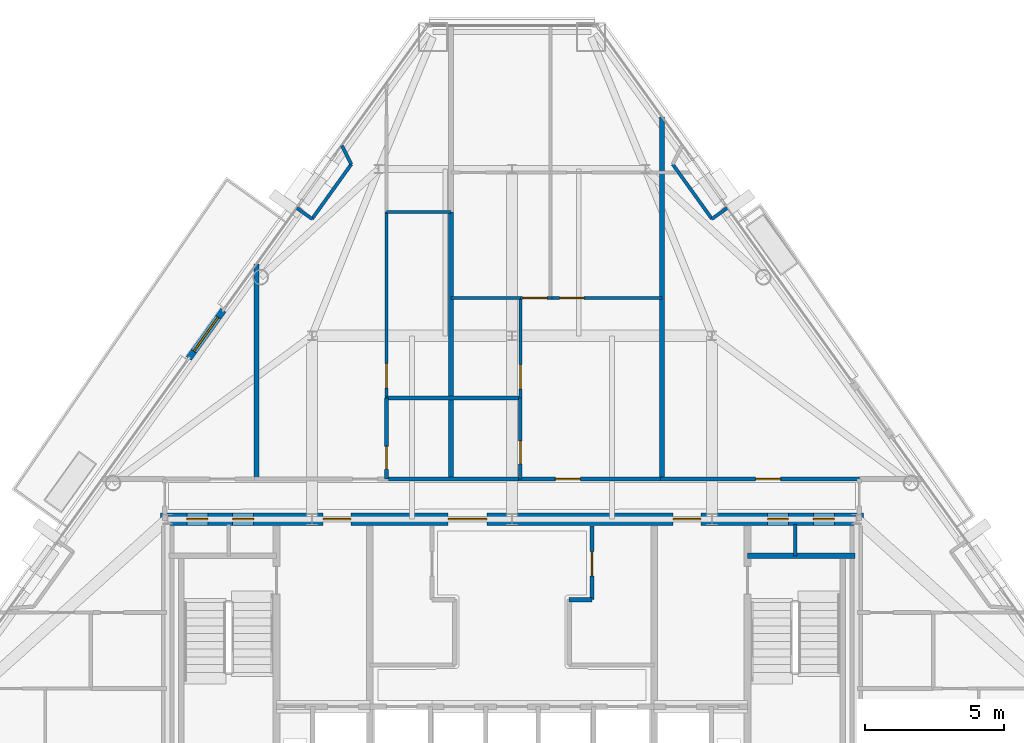
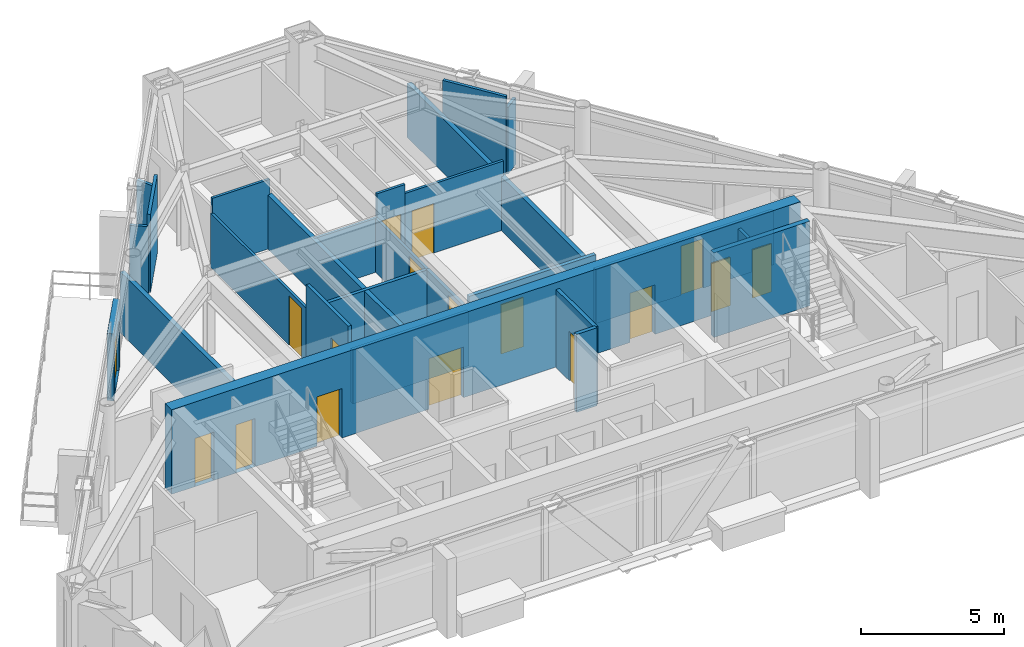
# One storey, part 9 of 12: 26 walls, 17 doors, 17 openings.
"""IFC4 building model written with IfcOpenShell, lengths in metres."""

from ifc_helpers import new_model, si_unit, direction, frame, frame_2d, origin, place, context, subcontext, project, spatial, rectangle, extrude, material, layer, layer_set, type_object, element, fill, save


model = new_model("IFC4")

# Units and contexts
model_context = context("Model", 3, precision=1e-05, world=origin(), true_north=direction((0.0, 1.0)))
body_context = subcontext(model_context, "Body", "Model", "MODEL_VIEW")
ifc_project = project(units=[si_unit("LENGTHUNIT", "METRE"), si_unit("AREAUNIT", "SQUARE_METRE"), si_unit("VOLUMEUNIT", "CUBIC_METRE"), si_unit("PLANEANGLEUNIT", "RADIAN"), si_unit("MASSUNIT", "GRAM", prefix="KILO")], contexts=[model_context])

# Site, building, storey
site_placement = place(None, origin())
site = spatial("IfcSite", under=ifc_project, at=site_placement, CompositionType="ELEMENT")
building_placement = place(site_placement, origin())
building = spatial("IfcBuilding", under=site, at=building_placement, Name="Talgorran Terracotta Tower", CompositionType="ELEMENT")
storey_placement = place(building_placement, frame((0.0, 0.0, 225.300048828125)))
storey = spatial("IfcBuildingStorey", under=building, at=storey_placement, Name="L59", CompositionType="ELEMENT", Elevation=225.300048828125)

# Wall, opening, door
ifc_material_1 = material(Name="Concrete C40/50", Category="concrete")
ifc_layer_1 = layer(ifc_material_1, 0.239990234375, Name="WT_BALCONY_SPAND")
ifc_layer_set_1 = layer_set([ifc_layer_1], Name="Concrete C40/50")
wall_type_1 = type_object("IfcWallType", Name="WT_BALCONY_SPAND", PredefinedType="STANDARD", material=ifc_layer_set_1)
wall_1_placement = place(storey_placement, frame((-10.3896484375, 3.3251953125, -0.01513671875), z_axis=(0.0, 0.0, 1.0), x_axis=(-0.583092889468, -0.812405491274, 0.0)))
wall_1 = element("IfcWall", 1, at=wall_1_placement, inside=storey, type_object=wall_type_1, Name="WL-L59-BALP-BAL-NW", PredefinedType="STANDARD", context=body_context, shape_type="SweptSolid", body=[
    extrude(rectangle(XDim=2.139892578125, YDim=0.239990234375, at=frame_2d((1.06982421875, 0.0))), origin(), (0.0, 0.0, 1.0), 2.85302734375),
])
opening_1_placement = place(wall_1_placement, frame((0.320068359375, 0.0, 0.014892578125)))
opening_1 = element("IfcOpeningElement", 2, at=opening_1_placement, cuts=wall_1, Name="Opening D-BAL-L59-2", PredefinedType="OPENING", context=body_context, shape_type="SweptSolid", body=[
    extrude(rectangle(XDim=1.506, YDim=2.203951171875, at=frame_2d((0.75, 1.10205078125))), frame((0.0, 0.1298828125, 0.0), z_axis=(0.0, -1.0, 0.0), x_axis=(1.0, 0.0, 0.0)), (0.0, 0.0, 1.0), 0.260009765625),
])
ifc_material_2 = material(Name="Thermally Broken Aluminium", Category="aluminium")
door_type_1 = type_object("IfcDoorType", Name="DT_BALC_1500", OperationType="SLIDING_TO_RIGHT", PredefinedType="DOOR", material=ifc_material_2)
door_1_placement = place(opening_1_placement, origin())
door_1 = element("IfcDoor", 3, at=door_1_placement, inside=storey, type_object=door_type_1, Name="DR-L59-BAL-BAL-NW", OperationType="SLIDING_TO_RIGHT", OverallHeight=2.199951171875, OverallWidth=1.5, PredefinedType="DOOR", context=body_context, shape_type="SweptSolid", body=[
    extrude(rectangle(XDim=1.5, YDim=2.199951171875, at=frame_2d((0.75, 1.10009765625))), frame((0.0, 0.02490234375, 0.0), z_axis=(0.0, -1.0, 0.0), x_axis=(1.0, 0.0, 0.0)), (0.0, 0.0, 1.0), 0.050048828125),
])
fill(opening_1, door_1)

# Wall
ifc_material_3 = material(Name="Concrete C50/60", Category="concrete")
ifc_layer_2 = layer(ifc_material_3, 0.199951171875, Name="WT_CORE_200")
ifc_layer_set_2 = layer_set([ifc_layer_2], Name="Concrete C50/60")
wall_type_2 = type_object("IfcWallType", Name="WT_CORE_200", PredefinedType="SOLIDWALL", material=ifc_layer_set_2)
wall_2_placement = place(storey_placement, frame((8.47998046875, -5.52001953125, 0.0), z_axis=(0.0, 0.0, 1.0), x_axis=(1.0, 0.0, 0.0)))
element("IfcWall", 4, at=wall_2_placement, inside=storey, type_object=wall_type_2, Name="WL-L59-CW-ST2-N", PredefinedType="SOLIDWALL", context=body_context, shape_type="SweptSolid", body=[
    extrude(rectangle(XDim=3.8701171875, YDim=0.199951171875, at=frame_2d((1.93505859375, 0.0))), origin(), (0.0, 0.0, 1.0), 3.599853515625),
])

# Wall, openings, doors
ifc_material_4 = material(Name="Concrete C65/80", Category="concrete")
ifc_layer_3 = layer(ifc_material_4, 0.449951171875, Name="WT_CORE_EXT")
ifc_layer_set_3 = layer_set([ifc_layer_3], Name="Concrete C65/80")
wall_type_3 = type_object("IfcWallType", Name="WT_CORE_EXT", PredefinedType="SHEAR", material=ifc_layer_set_3)
wall_3_placement = place(storey_placement, frame((-12.64990234375, -4.199951171875, 0.0), z_axis=(0.0, 0.0, 1.0), x_axis=(1.0, 0.0, 0.0)))
wall_3 = element("IfcWall", 5, at=wall_3_placement, inside=storey, type_object=wall_type_3, Name="WL-L59-CW-OUT-N", PredefinedType="SHEAR", context=body_context, shape_type="SweptSolid", body=[
    extrude(rectangle(XDim=25.2998046875, YDim=0.449951171875, at=frame_2d((12.64990234375, 0.0))), origin(), (0.0, 0.0, 1.0), 3.599853515625),
])
opening_2_placement = place(wall_3_placement, frame((0.949951171875, 0.0, 0.0)))
opening_2 = element("IfcOpeningElement", 6, at=opening_2_placement, cuts=wall_3, Name="Opening DR-CSN1", PredefinedType="OPENING", context=body_context, shape_type="SweptSolid", body=[
    extrude(rectangle(XDim=0.756, YDim=2.054048828125, at=frame_2d((0.375, 1.027099609375))), frame((0.0, 0.23486328125, 0.0), z_axis=(0.0, -1.0, 0.0), x_axis=(1.0, 0.0, 0.0)), (0.0, 0.0, 1.0), 0.469970703125),
])
opening_3_placement = place(wall_3_placement, frame((2.60009765625, 0.0, 0.0)))
opening_3 = element("IfcOpeningElement", 7, at=opening_3_placement, cuts=wall_3, Name="Opening DR-CSN2", PredefinedType="OPENING", context=body_context, shape_type="SweptSolid", body=[
    extrude(rectangle(XDim=0.756, YDim=2.054048828125, at=frame_2d((0.375, 1.027099609375))), frame((0.0, 0.23486328125, 0.0), z_axis=(0.0, -1.0, 0.0), x_axis=(1.0, 0.0, 0.0)), (0.0, 0.0, 1.0), 0.469970703125),
])
opening_4_placement = place(wall_3_placement, frame((21.85009765625, 0.0, 0.0)))
opening_4 = element("IfcOpeningElement", 8, at=opening_4_placement, cuts=wall_3, Name="Opening DR-CSN3", PredefinedType="OPENING", context=body_context, shape_type="SweptSolid", body=[
    extrude(rectangle(XDim=0.756, YDim=2.054048828125, at=frame_2d((0.375, 1.027099609375))), frame((0.0, 0.23486328125, 0.0), z_axis=(0.0, -1.0, 0.0), x_axis=(1.0, 0.0, 0.0)), (0.0, 0.0, 1.0), 0.469970703125),
])
opening_5_placement = place(wall_3_placement, frame((23.5, 0.0, 0.0)))
opening_5 = element("IfcOpeningElement", 9, at=opening_5_placement, cuts=wall_3, Name="Opening DR-CSN4", PredefinedType="OPENING", context=body_context, shape_type="SweptSolid", body=[
    extrude(rectangle(XDim=0.756, YDim=2.054048828125, at=frame_2d((0.375, 1.027099609375))), frame((0.0, 0.23486328125, 0.0), z_axis=(0.0, -1.0, 0.0), x_axis=(1.0, 0.0, 0.0)), (0.0, 0.0, 1.0), 0.469970703125),
])
opening_6_placement = place(wall_3_placement, frame((5.85009765625, 0.0, 0.0)))
opening_6 = element("IfcOpeningElement", 10, at=opening_6_placement, cuts=wall_3, Name="Opening DR-FFLW-N", PredefinedType="OPENING", context=body_context, shape_type="SweptSolid", body=[
    extrude(rectangle(XDim=1.006, YDim=2.10409765625, at=frame_2d((0.5, 1.052001953125))), frame((0.0, 0.23486328125, 0.0), z_axis=(0.0, -1.0, 0.0), x_axis=(1.0, 0.0, 0.0)), (0.0, 0.0, 1.0), 0.469970703125),
])
opening_7_placement = place(wall_3_placement, frame((10.35009765625, 0.0, 0.0)))
opening_7 = element("IfcOpeningElement", 11, at=opening_7_placement, cuts=wall_3, Name="Opening DR-PLL-N", PredefinedType="OPENING", context=body_context, shape_type="SweptSolid", body=[
    extrude(rectangle(XDim=1.40590234375, YDim=2.15390234375, at=frame_2d((0.699951171875, 1.076904296875))), frame((0.0, 0.23486328125, 0.0), z_axis=(0.0, -1.0, 0.0), x_axis=(1.0, 0.0, 0.0)), (0.0, 0.0, 1.0), 0.469970703125),
])
opening_8_placement = place(wall_3_placement, frame((18.449951171875, 0.0, 0.0)))
opening_8 = element("IfcOpeningElement", 12, at=opening_8_placement, cuts=wall_3, Name="Opening DR-FFLE-N", PredefinedType="OPENING", context=body_context, shape_type="SweptSolid", body=[
    extrude(rectangle(XDim=1.006, YDim=2.10409765625, at=frame_2d((0.5, 1.052001953125))), frame((0.0, 0.23486328125, 0.0), z_axis=(0.0, -1.0, 0.0), x_axis=(1.0, 0.0, 0.0)), (0.0, 0.0, 1.0), 0.469970703125),
])
ifc_material_5 = material(Name="Acoustic Glazed Timber", Category="wood")
door_type_2 = type_object("IfcDoorType", Name="DT_DOUBLE_1400", OperationType="DOUBLE_DOOR_SINGLE_SWING", PredefinedType="DOOR", material=ifc_material_5)
door_2_placement = place(opening_7_placement, origin())
door_2 = element("IfcDoor", 13, at=door_2_placement, inside=storey, type_object=door_type_2, Name="DR-PLL-N", OperationType="DOUBLE_DOOR_SINGLE_SWING", OverallHeight=2.14990234375, OverallWidth=1.39990234375, PredefinedType="DOOR", context=body_context, shape_type="SweptSolid", body=[
    extrude(rectangle(XDim=1.39990234375, YDim=2.14990234375, at=frame_2d((0.699951171875, 1.074951171875))), frame((0.0, 0.02490234375, 0.0), z_axis=(0.0, -1.0, 0.0), x_axis=(1.0, 0.0, 0.0)), (0.0, 0.0, 1.0), 0.050048828125),
])
fill(opening_7, door_2)
ifc_material_6 = material(Name="Fire-Rated Pressed Steel", Category="steel")
door_type_3 = type_object("IfcDoorType", Name="DT_FIRE_1000", OperationType="NOTDEFINED", PredefinedType="DOOR", material=ifc_material_6)
door_3_placement = place(opening_6_placement, origin())
door_3 = element("IfcDoor", 14, at=door_3_placement, inside=storey, type_object=door_type_3, Name="DR-FFLW-N", OperationType="SINGLE_SWING_LEFT", OverallHeight=2.10009765625, OverallWidth=1.0, PredefinedType="DOOR", context=body_context, shape_type="SweptSolid", body=[
    extrude(rectangle(XDim=1.0, YDim=2.10009765625, at=frame_2d((0.5, 1.050048828125))), frame((0.0, 0.02490234375, 0.0), z_axis=(0.0, -1.0, 0.0), x_axis=(1.0, 0.0, 0.0)), (0.0, 0.0, 1.0), 0.050048828125),
])
fill(opening_6, door_3)
door_4_placement = place(opening_8_placement, origin())
door_4 = element("IfcDoor", 15, at=door_4_placement, inside=storey, type_object=door_type_3, Name="DR-FFLE-N", OperationType="SINGLE_SWING_RIGHT", OverallHeight=2.10009765625, OverallWidth=1.0, PredefinedType="DOOR", context=body_context, shape_type="SweptSolid", body=[
    extrude(rectangle(XDim=1.0, YDim=2.10009765625, at=frame_2d((0.5, 1.050048828125))), frame((0.0, 0.02490234375, 0.0), z_axis=(0.0, -1.0, 0.0), x_axis=(1.0, 0.0, 0.0)), (0.0, 0.0, 1.0), 0.050048828125),
])
fill(opening_8, door_4)
door_type_4 = type_object("IfcDoorType", Name="DT_RISER_750", OperationType="NOTDEFINED", PredefinedType="DOOR", material=ifc_material_6)
door_5_placement = place(opening_2_placement, origin())
door_5 = element("IfcDoor", 16, at=door_5_placement, inside=storey, type_object=door_type_4, Name="DR-CSN1", OperationType="SINGLE_SWING_LEFT", OverallHeight=2.050048828125, OverallWidth=0.75, PredefinedType="DOOR", context=body_context, shape_type="SweptSolid", body=[
    extrude(rectangle(XDim=0.75, YDim=2.050048828125, at=frame_2d((0.375, 1.02490234375))), frame((0.0, 0.02490234375, 0.0), z_axis=(0.0, -1.0, 0.0), x_axis=(1.0, 0.0, 0.0)), (0.0, 0.0, 1.0), 0.050048828125),
])
fill(opening_2, door_5)
door_6_placement = place(opening_3_placement, origin())
door_6 = element("IfcDoor", 17, at=door_6_placement, inside=storey, type_object=door_type_4, Name="DR-CSN2", OperationType="SINGLE_SWING_RIGHT", OverallHeight=2.050048828125, OverallWidth=0.75, PredefinedType="DOOR", context=body_context, shape_type="SweptSolid", body=[
    extrude(rectangle(XDim=0.75, YDim=2.050048828125, at=frame_2d((0.375, 1.02490234375))), frame((0.0, 0.02490234375, 0.0), z_axis=(0.0, -1.0, 0.0), x_axis=(1.0, 0.0, 0.0)), (0.0, 0.0, 1.0), 0.050048828125),
])
fill(opening_3, door_6)
door_7_placement = place(opening_4_placement, origin())
door_7 = element("IfcDoor", 18, at=door_7_placement, inside=storey, type_object=door_type_4, Name="DR-CSN3", OperationType="SINGLE_SWING_LEFT", OverallHeight=2.050048828125, OverallWidth=0.75, PredefinedType="DOOR", context=body_context, shape_type="SweptSolid", body=[
    extrude(rectangle(XDim=0.75, YDim=2.050048828125, at=frame_2d((0.375, 1.02490234375))), frame((0.0, 0.02490234375, 0.0), z_axis=(0.0, -1.0, 0.0), x_axis=(1.0, 0.0, 0.0)), (0.0, 0.0, 1.0), 0.050048828125),
])
fill(opening_4, door_7)
door_8_placement = place(opening_5_placement, origin())
door_8 = element("IfcDoor", 19, at=door_8_placement, inside=storey, type_object=door_type_4, Name="DR-CSN4", OperationType="SINGLE_SWING_RIGHT", OverallHeight=2.050048828125, OverallWidth=0.75, PredefinedType="DOOR", context=body_context, shape_type="SweptSolid", body=[
    extrude(rectangle(XDim=0.75, YDim=2.050048828125, at=frame_2d((0.375, 1.02490234375))), frame((0.0, 0.02490234375, 0.0), z_axis=(0.0, -1.0, 0.0), x_axis=(1.0, 0.0, 0.0)), (0.0, 0.0, 1.0), 0.050048828125),
])
fill(opening_5, door_8)

# Wall
ifc_material_7 = material(Name="Fire-Rated Steel Stud Plasterboard", Category="steel")
ifc_layer_4 = layer(ifc_material_7, 0.14990234375, Name="WT_FIRE_150")
ifc_layer_set_4 = layer_set([ifc_layer_4], Name="Fire-Rated Steel Stud Plasterboard")
wall_type_4 = type_object("IfcWallType", Name="WT_FIRE_150", PredefinedType="PARTITIONING", material=ifc_layer_set_4)
wall_4_placement = place(storey_placement, frame((2.06005859375, -7.10009765625, 0.0), z_axis=(0.0, 0.0, 1.0), x_axis=(1.0, 0.0, 0.0)))
element("IfcWall", 20, at=wall_4_placement, inside=storey, type_object=wall_type_4, Name="WL-L59-CW-H-E3M2", PredefinedType="PARTITIONING", context=body_context, shape_type="SweptSolid", body=[
    extrude(rectangle(XDim=0.81982421875, YDim=0.14990234375, at=frame_2d((0.409912109375, 0.0))), origin(), (0.0, 0.0, 1.0), 3.320068359375),
])

# Wall, opening, door
wall_5_placement = place(storey_placement, frame((2.8798828125, -7.10009765625, 0.0), z_axis=(0.0, 0.0, 1.0), x_axis=(0.0, 1.0, 0.0)))
wall_5 = element("IfcWall", 21, at=wall_5_placement, inside=storey, type_object=wall_type_4, Name="WL-L59-CW-V-E3N", PredefinedType="PARTITIONING", context=body_context, shape_type="SweptSolid", body=[
    extrude(rectangle(XDim=2.650146484375, YDim=0.14990234375, at=frame_2d((1.3251953125, 0.0))), origin(), (0.0, 0.0, 1.0), 3.320068359375),
])
opening_9_placement = place(wall_5_placement, frame((0.85009765625, 0.0, 0.0)))
opening_9 = element("IfcOpeningElement", 22, at=opening_9_placement, cuts=wall_5, Name="Opening DR-FRPLM-B", PredefinedType="OPENING", context=body_context, shape_type="SweptSolid", body=[
    extrude(rectangle(XDim=0.8858828125, YDim=2.10409765625, at=frame_2d((0.43994140625, 1.052001953125))), frame((0.0, 0.0849609375, 0.0), z_axis=(0.0, -1.0, 0.0), x_axis=(1.0, 0.0, 0.0)), (0.0, 0.0, 1.0), 0.169921875),
])
ifc_material_8 = material(Name="Solid-Core Painted Timber", Category="wood")
door_type_5 = type_object("IfcDoorType", Name="DT_INT_880", OperationType="NOTDEFINED", PredefinedType="DOOR", material=ifc_material_8)
door_9_placement = place(opening_9_placement, origin())
door_9 = element("IfcDoor", 23, at=door_9_placement, inside=storey, type_object=door_type_5, Name="DR-FRPLM-B", OperationType="SINGLE_SWING_RIGHT", OverallHeight=2.10009765625, OverallWidth=0.8798828125, PredefinedType="DOOR", context=body_context, shape_type="SweptSolid", body=[
    extrude(rectangle(XDim=0.8798828125, YDim=2.10009765625, at=frame_2d((0.43994140625, 1.050048828125))), frame((0.0, 0.02490234375, 0.0), z_axis=(0.0, -1.0, 0.0), x_axis=(1.0, 0.0, 0.0)), (0.0, 0.0, 1.0), 0.050048828125),
])
fill(opening_9, door_9)

wall_6_placement = place(storey_placement, frame((5.340087890625, -2.760009765625, 0.0), z_axis=(0.0, 0.0, 1.0), x_axis=(1.0, 0.0, 0.0)))
wall_6 = element("IfcWall", 24, at=wall_6_placement, inside=storey, type_object=wall_type_4, Name="WL-L59-W-L59-R08", PredefinedType="PARTITIONING", context=body_context, shape_type="SweptSolid", body=[
    extrude(rectangle(XDim=7.159912109375, YDim=0.14990234375, at=frame_2d((3.580078125, 0.0))), origin(), (0.0, 0.0, 1.0), 2.294921875),
])
opening_10_placement = place(wall_6_placement, frame((3.428955078125, 0.0, 0.0)))
opening_10 = element("IfcOpeningElement", 25, at=opening_10_placement, cuts=wall_6, Name="Opening DR-L59-R23", PredefinedType="OPENING", context=body_context, shape_type="SweptSolid", body=[
    extrude(rectangle(XDim=0.90590234375, YDim=2.10409765625, at=frame_2d((0.449951171875, 1.052001953125))), frame((0.0, 0.0849609375, 0.0), z_axis=(0.0, -1.0, 0.0), x_axis=(1.0, 0.0, 0.0)), (0.0, 0.0, 1.0), 0.169921875),
])
ifc_material_9 = material(Name="Fire-Rated Timber Core", Category="wood")
door_type_6 = type_object("IfcDoorType", Name="DT_FIRE_900", OperationType="NOTDEFINED", PredefinedType="DOOR", material=ifc_material_9)
door_10_placement = place(opening_10_placement, origin())
door_10 = element("IfcDoor", 26, at=door_10_placement, inside=storey, type_object=door_type_6, Name="DR-L59-R23", OperationType="SINGLE_SWING_LEFT", OverallHeight=2.10009765625, OverallWidth=0.89990234375, PredefinedType="DOOR", context=body_context, shape_type="SweptSolid", body=[
    extrude(rectangle(XDim=0.89990234375, YDim=2.10009765625, at=frame_2d((0.449951171875, 1.050048828125))), frame((0.0, 0.02490234375, 0.0), z_axis=(0.0, -1.0, 0.0), x_axis=(1.0, 0.0, 0.0)), (0.0, 0.0, 1.0), 0.050048828125),
])
fill(opening_10, door_10)

wall_7_placement = place(storey_placement, frame((0.239990234375, -2.760009765625, 0.0), z_axis=(0.0, 0.0, 1.0), x_axis=(1.0, 0.0, 0.0)))
wall_7 = element("IfcWall", 27, at=wall_7_placement, inside=storey, type_object=wall_type_4, Name="WL-L59-W-L59-R07", PredefinedType="PARTITIONING", context=body_context, shape_type="SweptSolid", body=[
    extrude(rectangle(XDim=5.097900390625, YDim=0.14990234375, at=frame_2d((2.548828125, 0.0))), origin(), (0.0, 0.0, 1.0), 2.939453125),
])
opening_11_placement = place(wall_7_placement, frame((1.320068359375, 0.0, 0.0)))
opening_11 = element("IfcOpeningElement", 28, at=opening_11_placement, cuts=wall_7, Name="Opening DR-L59-R18", PredefinedType="OPENING", context=body_context, shape_type="SweptSolid", body=[
    extrude(rectangle(XDim=0.90590234375, YDim=2.10409765625, at=frame_2d((0.449951171875, 1.052001953125))), frame((0.0, 0.0849609375, 0.0), z_axis=(0.0, -1.0, 0.0), x_axis=(1.0, 0.0, 0.0)), (0.0, 0.0, 1.0), 0.169921875),
])
door_11_placement = place(opening_11_placement, origin())
door_11 = element("IfcDoor", 29, at=door_11_placement, inside=storey, type_object=door_type_6, Name="DR-L59-R18", OperationType="SINGLE_SWING_RIGHT", OverallHeight=2.10009765625, OverallWidth=0.89990234375, PredefinedType="DOOR", context=body_context, shape_type="SweptSolid", body=[
    extrude(rectangle(XDim=0.89990234375, YDim=2.10009765625, at=frame_2d((0.449951171875, 1.050048828125))), frame((0.0, 0.02490234375, 0.0), z_axis=(0.0, -1.0, 0.0), x_axis=(1.0, 0.0, 0.0)), (0.0, 0.0, 1.0), 0.050048828125),
])
fill(opening_11, door_11)

# Walls
wall_8_placement = place(storey_placement, frame((-4.43798828125, -2.760009765625, 0.0), z_axis=(0.0, 0.0, 1.0), x_axis=(1.0, 0.0, 0.0)))
element("IfcWall", 30, at=wall_8_placement, inside=storey, type_object=wall_type_4, Name="WL-L59-W-L59-R06", PredefinedType="PARTITIONING", context=body_context, shape_type="SweptSolid", body=[
    extrude(rectangle(XDim=4.676025390625, YDim=0.14990234375, at=frame_2d((2.337890625, 0.0))), origin(), (0.0, 0.0, 1.0), 2.294921875),
])
ifc_material_10 = material(Name="Acoustic Stud and Plasterboard")
ifc_layer_5 = layer(ifc_material_10, 0.179931640625, Name="WT_PARTY_200")
ifc_layer_set_5 = layer_set([ifc_layer_5], Name="Acoustic Stud and Plasterboard")
wall_type_5 = type_object("IfcWallType", Name="WT_PARTY_200", PredefinedType="PARTITIONING", material=ifc_layer_set_5)
wall_9_placement = place(storey_placement, frame((-9.199951171875, -2.760009765625, 0.0), z_axis=(0.0, 0.0, 1.0), x_axis=(0.0, 1.0, 0.0)))
element("IfcWall", 31, at=wall_9_placement, inside=storey, type_object=wall_type_5, Name="WL-L59-W-L59-R25", PredefinedType="PARTITIONING", context=body_context, shape_type="SweptSolid", body=[
    extrude(rectangle(XDim=7.742431640625, YDim=0.179931640625, at=frame_2d((3.87109375, 0.0))), origin(), (0.0, 0.0, 1.0), 2.594970703125),
])
wall_10_placement = place(storey_placement, frame((5.39990234375, -2.760009765625, 0.0), z_axis=(0.0, 0.0, 1.0), x_axis=(0.0, 1.0, 0.0)))
element("IfcWall", 32, at=wall_10_placement, inside=storey, type_object=wall_type_5, Name="WL-L59-W-L59-R42", PredefinedType="PARTITIONING", context=body_context, shape_type="SweptSolid", body=[
    extrude(rectangle(XDim=13.03662109375, YDim=0.179931640625, at=frame_2d((6.518310546875, 0.0))), origin(), (0.0, 0.0, 1.0), 2.294921875),
])
wall_11_placement = place(storey_placement, frame((-2.199951171875, -2.760009765625, 0.0), z_axis=(0.0, 0.0, 1.0), x_axis=(0.0, 1.0, 0.0)))
element("IfcWall", 33, at=wall_11_placement, inside=storey, type_object=wall_type_5, Name="WL-L59-W-L59-R31", PredefinedType="PARTITIONING", context=body_context, shape_type="SweptSolid", body=[
    extrude(rectangle(XDim=9.6201171875, YDim=0.179931640625, at=frame_2d((4.81005859375, 0.0))), origin(), (0.0, 0.0, 1.0), 2.294921875),
])

# Wall, opening, door
ifc_material_11 = material(Name="Lightweight Steel Stud Partition", Category="steel")
ifc_layer_6 = layer(ifc_material_11, 0.10498046875, Name="WT_PART_110")
ifc_layer_set_6 = layer_set([ifc_layer_6], Name="Lightweight Steel Stud Partition")
wall_type_6 = type_object("IfcWallType", Name="WT_PART_110", PredefinedType="PARTITIONING", material=ifc_layer_set_6)
wall_12_placement = place(storey_placement, frame((-4.52001953125, 0.159912109375, 0.0), z_axis=(0.0, 0.0, 1.0), x_axis=(0.0, 1.0, 0.0)))
wall_12 = element("IfcWall", 34, at=wall_12_placement, inside=storey, type_object=wall_type_6, Name="WL-L59-W-L59-R30", PredefinedType="PARTITIONING", context=body_context, shape_type="SweptSolid", body=[
    extrude(rectangle(XDim=6.7001953125, YDim=0.10498046875, at=frame_2d((3.35009765625, 0.0))), origin(), (0.0, 0.0, 1.0), 2.294921875),
])
opening_12_placement = place(wall_12_placement, frame((0.359130859375, 0.0, 0.0)))
opening_12 = element("IfcOpeningElement", 35, at=opening_12_placement, cuts=wall_12, Name="Opening DR-L59-R13", PredefinedType="OPENING", context=body_context, shape_type="SweptSolid", body=[
    extrude(rectangle(XDim=0.8858828125, YDim=2.10409765625, at=frame_2d((0.43994140625, 1.052001953125))), frame((0.0, 0.0625, 0.0), z_axis=(0.0, -1.0, 0.0), x_axis=(1.0, 0.0, 0.0)), (0.0, 0.0, 1.0), 0.125),
])
door_12_placement = place(opening_12_placement, origin())
door_12 = element("IfcDoor", 36, at=door_12_placement, inside=storey, type_object=door_type_5, Name="DR-L59-R13", OperationType="SINGLE_SWING_LEFT", OverallHeight=2.10009765625, OverallWidth=0.8798828125, PredefinedType="DOOR", context=body_context, shape_type="SweptSolid", body=[
    extrude(rectangle(XDim=0.8798828125, YDim=2.10009765625, at=frame_2d((0.43994140625, 1.050048828125))), frame((0.0, 0.02490234375, 0.0), z_axis=(0.0, -1.0, 0.0), x_axis=(1.0, 0.0, 0.0)), (0.0, 0.0, 1.0), 0.050048828125),
])
fill(opening_12, door_12)

wall_13_placement = place(storey_placement, frame((1.320068359375, 3.760009765625, 0.0), z_axis=(0.0, 0.0, 1.0), x_axis=(1.0, 0.0, 0.0)))
wall_13 = element("IfcWall", 37, at=wall_13_placement, inside=storey, type_object=wall_type_6, Name="WL-L59-W-L59-R41", PredefinedType="PARTITIONING", context=body_context, shape_type="SweptSolid", body=[
    extrude(rectangle(XDim=4.079833984375, YDim=0.10498046875, at=frame_2d((2.0400390625, 0.0))), origin(), (0.0, 0.0, 1.0), 2.939453125),
])
opening_13_placement = place(wall_13_placement, frame((0.396240234375, 0.0, 0.0)))
opening_13 = element("IfcOpeningElement", 38, at=opening_13_placement, cuts=wall_13, Name="Opening DR-L59-R21", PredefinedType="OPENING", context=body_context, shape_type="SweptSolid", body=[
    extrude(rectangle(XDim=0.8858828125, YDim=2.10409765625, at=frame_2d((0.43994140625, 1.052001953125))), frame((0.0, 0.0625, 0.0), z_axis=(0.0, -1.0, 0.0), x_axis=(1.0, 0.0, 0.0)), (0.0, 0.0, 1.0), 0.125),
])
door_13_placement = place(opening_13_placement, origin())
door_13 = element("IfcDoor", 39, at=door_13_placement, inside=storey, type_object=door_type_5, Name="DR-L59-R21", OperationType="SINGLE_SWING_LEFT", OverallHeight=2.10009765625, OverallWidth=0.8798828125, PredefinedType="DOOR", context=body_context, shape_type="SweptSolid", body=[
    extrude(rectangle(XDim=0.8798828125, YDim=2.10009765625, at=frame_2d((0.43994140625, 1.050048828125))), frame((0.0, 0.02490234375, 0.0), z_axis=(0.0, -1.0, 0.0), x_axis=(1.0, 0.0, 0.0)), (0.0, 0.0, 1.0), 0.050048828125),
])
fill(opening_13, door_13)

wall_14_placement = place(storey_placement, frame((0.300048828125, 0.159912109375, 0.0), z_axis=(0.0, 0.0, 1.0), x_axis=(0.0, 1.0, 0.0)))
wall_14 = element("IfcWall", 40, at=wall_14_placement, inside=storey, type_object=wall_type_6, Name="WL-L59-W-L59-R38", PredefinedType="PARTITIONING", context=body_context, shape_type="SweptSolid", body=[
    extrude(rectangle(XDim=3.60009765625, YDim=0.10498046875, at=frame_2d((1.800048828125, 0.0))), origin(), (0.0, 0.0, 1.0), 2.294921875),
])
opening_14_placement = place(wall_14_placement, frame((0.320068359375, 0.0, 0.0)))
opening_14 = element("IfcOpeningElement", 41, at=opening_14_placement, cuts=wall_14, Name="Opening DR-L59-R17", PredefinedType="OPENING", context=body_context, shape_type="SweptSolid", body=[
    extrude(rectangle(XDim=0.8858828125, YDim=2.10409765625, at=frame_2d((0.43994140625, 1.052001953125))), frame((0.0, 0.0625, 0.0), z_axis=(0.0, -1.0, 0.0), x_axis=(1.0, 0.0, 0.0)), (0.0, 0.0, 1.0), 0.125),
])
door_14_placement = place(opening_14_placement, origin())
door_14 = element("IfcDoor", 42, at=door_14_placement, inside=storey, type_object=door_type_5, Name="DR-L59-R17", OperationType="SINGLE_SWING_LEFT", OverallHeight=2.10009765625, OverallWidth=0.8798828125, PredefinedType="DOOR", context=body_context, shape_type="SweptSolid", body=[
    extrude(rectangle(XDim=0.8798828125, YDim=2.10009765625, at=frame_2d((0.43994140625, 1.050048828125))), frame((0.0, 0.02490234375, 0.0), z_axis=(0.0, -1.0, 0.0), x_axis=(1.0, 0.0, 0.0)), (0.0, 0.0, 1.0), 0.050048828125),
])
fill(opening_14, door_14)

# Walls
wall_15_placement = place(storey_placement, frame((-2.199951171875, 3.760009765625, 0.0), z_axis=(0.0, 0.0, 1.0), x_axis=(1.0, 0.0, 0.0)))
element("IfcWall", 43, at=wall_15_placement, inside=storey, type_object=wall_type_6, Name="WL-L59-W-L59-R39", PredefinedType="PARTITIONING", context=body_context, shape_type="SweptSolid", body=[
    extrude(rectangle(XDim=2.5, YDim=0.10498046875, at=frame_2d((1.25, 0.0))), origin(), (0.0, 0.0, 1.0), 2.294921875),
])
wall_16_placement = place(storey_placement, frame((-4.52001953125, 6.860107421875, 0.0), z_axis=(0.0, 0.0, 1.0), x_axis=(1.0, 0.0, 0.0)))
element("IfcWall", 44, at=wall_16_placement, inside=storey, type_object=wall_type_6, Name="WL-L59-W-L59-R29", PredefinedType="PARTITIONING", context=body_context, shape_type="SweptSolid", body=[
    extrude(rectangle(XDim=2.320068359375, YDim=0.10498046875, at=frame_2d((1.16015625, 0.0))), origin(), (0.0, 0.0, 1.0), 2.939453125),
])

# Wall, opening, door
wall_17_placement = place(storey_placement, frame((0.300048828125, 3.760009765625, 0.0), z_axis=(0.0, 0.0, 1.0), x_axis=(1.0, 0.0, 0.0)))
wall_17 = element("IfcWall", 45, at=wall_17_placement, inside=storey, type_object=wall_type_6, Name="WL-L59-W-L59-R40", PredefinedType="PARTITIONING", context=body_context, shape_type="SweptSolid", body=[
    extrude(rectangle(XDim=1.139892578125, YDim=0.10498046875, at=frame_2d((0.56982421875, 0.0))), origin(), (0.0, 0.0, 1.0), 3.320068359375),
])
opening_15_placement = place(wall_17_placement, frame((0.0849609375, 0.0, 0.0)))
opening_15 = element("IfcOpeningElement", 46, at=opening_15_placement, cuts=wall_17, Name="Opening DR-L59-R19", PredefinedType="OPENING", context=body_context, shape_type="SweptSolid", body=[
    extrude(rectangle(XDim=0.8858828125, YDim=2.10409765625, at=frame_2d((0.43994140625, 1.052001953125))), frame((0.0, 0.0625, 0.0), z_axis=(0.0, -1.0, 0.0), x_axis=(1.0, 0.0, 0.0)), (0.0, 0.0, 1.0), 0.125),
])
door_15_placement = place(opening_15_placement, origin())
door_15 = element("IfcDoor", 47, at=door_15_placement, inside=storey, type_object=door_type_5, Name="DR-L59-R19", OperationType="SINGLE_SWING_LEFT", OverallHeight=2.10009765625, OverallWidth=0.8798828125, PredefinedType="DOOR", context=body_context, shape_type="SweptSolid", body=[
    extrude(rectangle(XDim=0.8798828125, YDim=2.10009765625, at=frame_2d((0.43994140625, 1.050048828125))), frame((0.0, 0.02490234375, 0.0), z_axis=(0.0, -1.0, 0.0), x_axis=(1.0, 0.0, 0.0)), (0.0, 0.0, 1.0), 0.050048828125),
])
fill(opening_15, door_15)

# Walls
ifc_material_12 = material(Name="Insulated Steel Stud Plasterboard", Category="steel")
ifc_layer_7 = layer(ifc_material_12, 0.1201171875, Name="WT_PART_120")
ifc_layer_set_7 = layer_set([ifc_layer_7], Name="Insulated Steel Stud Plasterboard")
wall_type_7 = type_object("IfcWallType", Name="WT_PART_120", PredefinedType="PARTITIONING", material=ifc_layer_set_7)
wall_18_placement = place(storey_placement, frame((10.199951171875, -5.52001953125, 0.0), z_axis=(0.0, 0.0, 1.0), x_axis=(0.0, 1.0, 0.0)))
element("IfcWall", 48, at=wall_18_placement, inside=storey, type_object=wall_type_7, Name="WL-L59-CW-CSE-DIV", PredefinedType="PARTITIONING", context=body_context, shape_type="SweptSolid", body=[
    extrude(rectangle(XDim=1.1201171875, YDim=0.1201171875, at=frame_2d((0.56005859375, 0.0))), origin(), (0.0, 0.0, 1.0), 3.320068359375),
])
for number, where, z_axis, x_axis, name in (
    (49, (-5.78515625, 8.573974609375, 0.0), (0.0, 0.0, 1.0), (-0.583135111371, -0.81237518542, 0.0), "WL-L59-BW-L59-15"),
    (50, (7.19677734375, 6.607421875, 0.0), (0.0, 0.0, 1.0), (-0.583135111371, 0.81237518542, 0.0), "WL-L59-BW-L59-18"),
):
    element("IfcWall", number, at=place(storey_placement, frame(where, z_axis=z_axis, x_axis=x_axis)), inside=storey, type_object=wall_type_7, Name=name, PredefinedType="PARTITIONING", context=body_context, shape_type="SweptSolid", body=[
        extrude(rectangle(XDim=2.420654296875, YDim=0.1201171875, at=frame_2d((1.21044921875, 0.0))), origin(), (0.0, 0.0, 1.0), 3.320068359375),
    ])
wall_19_placement = place(storey_placement, frame((-6.123779296875, 9.2509765625, 0.0), z_axis=(0.0, 0.0, 1.0), x_axis=(0.447342600971, -0.894362676634, 0.0)))
element("IfcWall", 51, at=wall_19_placement, inside=storey, type_object=wall_type_7, Name="WL-L59-BW-L59-14", PredefinedType="PARTITIONING", context=body_context, shape_type="SweptSolid", body=[
    extrude(rectangle(XDim=0.757080078125, YDim=0.1201171875, at=frame_2d((0.37841796875, 0.0))), origin(), (0.0, 0.0, 1.0), 2.837890625),
])
for number, where, z_axis, x_axis, name in (
    (52, (-7.19677734375, 6.607421875, 0.0), (0.0, 0.0, 1.0), (-0.812549510699, 0.582892179277, 0.0), "WL-L59-BW-L59-16"),
    (53, (7.740966796875, 6.997802734375, 0.0), (0.0, 0.0, 1.0), (-0.812549510699, -0.582892179277, 0.0), "WL-L59-BW-L59-17"),
):
    element("IfcWall", number, at=place(storey_placement, frame(where, z_axis=z_axis, x_axis=x_axis)), inside=storey, type_object=wall_type_7, Name=name, PredefinedType="PARTITIONING", context=body_context, shape_type="SweptSolid", body=[
        extrude(rectangle(XDim=0.669677734375, YDim=0.1201171875, at=frame_2d((0.3349609375, 0.0))), origin(), (0.0, 0.0, 1.0), 2.837890625),
    ])

# Wall, opening, door
ifc_material_13 = material(Name="Moisture-Resistant Stud Wall")
ifc_layer_8 = layer(ifc_material_13, 0.135009765625, Name="WT_PART_135")
ifc_layer_set_8 = layer_set([ifc_layer_8], Name="Moisture-Resistant Stud Wall")
wall_type_8 = type_object("IfcWallType", Name="WT_PART_135", PredefinedType="PARTITIONING", material=ifc_layer_set_8)
wall_20_placement = place(storey_placement, frame((-4.52001953125, -2.760009765625, 0.0), z_axis=(0.0, 0.0, 1.0), x_axis=(0.0, 1.0, 0.0)))
wall_20 = element("IfcWall", 54, at=wall_20_placement, inside=storey, type_object=wall_type_8, Name="WL-L59-W-L59-R27", PredefinedType="PARTITIONING", context=body_context, shape_type="SweptSolid", body=[
    extrude(rectangle(XDim=2.919921875, YDim=0.135009765625, at=frame_2d((1.4599609375, 0.0))), origin(), (0.0, 0.0, 1.0), 3.320068359375),
])
opening_16_placement = place(wall_20_placement, frame((0.357421875, 0.0, 0.0)))
opening_16 = element("IfcOpeningElement", 55, at=opening_16_placement, cuts=wall_20, Name="Opening DR-L59-R12", PredefinedType="OPENING", context=body_context, shape_type="SweptSolid", body=[
    extrude(rectangle(XDim=0.826068359375, YDim=2.10409765625, at=frame_2d((0.41015625, 1.052001953125))), frame((0.0, 0.07763671875, 0.0), z_axis=(0.0, -1.0, 0.0), x_axis=(1.0, 0.0, 0.0)), (0.0, 0.0, 1.0), 0.155029296875),
])
ifc_material_14 = material(Name="Moisture-Resistant Solid Timber", Category="wood")
door_type_7 = type_object("IfcDoorType", Name="DT_INT_820", OperationType="NOTDEFINED", PredefinedType="DOOR", material=ifc_material_14)
door_16_placement = place(opening_16_placement, origin())
door_16 = element("IfcDoor", 56, at=door_16_placement, inside=storey, type_object=door_type_7, Name="DR-L59-R12", OperationType="SINGLE_SWING_RIGHT", OverallHeight=2.10009765625, OverallWidth=0.820068359375, PredefinedType="DOOR", context=body_context, shape_type="SweptSolid", body=[
    extrude(rectangle(XDim=0.820068359375, YDim=2.10009765625, at=frame_2d((0.41015625, 1.050048828125))), frame((0.0, 0.02490234375, 0.0), z_axis=(0.0, -1.0, 0.0), x_axis=(1.0, 0.0, 0.0)), (0.0, 0.0, 1.0), 0.050048828125),
])
fill(opening_16, door_16)

wall_21_placement = place(storey_placement, frame((0.300048828125, -2.760009765625, 0.0), z_axis=(0.0, 0.0, 1.0), x_axis=(0.0, 1.0, 0.0)))
wall_21 = element("IfcWall", 57, at=wall_21_placement, inside=storey, type_object=wall_type_8, Name="WL-L59-W-L59-R37", PredefinedType="PARTITIONING", context=body_context, shape_type="SweptSolid", body=[
    extrude(rectangle(XDim=2.919921875, YDim=0.135009765625, at=frame_2d((1.4599609375, 0.0))), origin(), (0.0, 0.0, 1.0), 2.294921875),
])
opening_17_placement = place(wall_21_placement, frame((0.555419921875, 0.0, 0.0)))
opening_17 = element("IfcOpeningElement", 58, at=opening_17_placement, cuts=wall_21, Name="Opening DR-L59-R16", PredefinedType="OPENING", context=body_context, shape_type="SweptSolid", body=[
    extrude(rectangle(XDim=0.826068359375, YDim=2.10409765625, at=frame_2d((0.41015625, 1.052001953125))), frame((0.0, 0.07763671875, 0.0), z_axis=(0.0, -1.0, 0.0), x_axis=(1.0, 0.0, 0.0)), (0.0, 0.0, 1.0), 0.155029296875),
])
door_17_placement = place(opening_17_placement, origin())
door_17 = element("IfcDoor", 59, at=door_17_placement, inside=storey, type_object=door_type_7, Name="DR-L59-R16", OperationType="SINGLE_SWING_RIGHT", OverallHeight=2.10009765625, OverallWidth=0.820068359375, PredefinedType="DOOR", context=body_context, shape_type="SweptSolid", body=[
    extrude(rectangle(XDim=0.820068359375, YDim=2.10009765625, at=frame_2d((0.41015625, 1.050048828125))), frame((0.0, 0.02490234375, 0.0), z_axis=(0.0, -1.0, 0.0), x_axis=(1.0, 0.0, 0.0)), (0.0, 0.0, 1.0), 0.050048828125),
])
fill(opening_17, door_17)

# Wall
wall_22_placement = place(storey_placement, frame((-4.52001953125, 0.159912109375, 0.0), z_axis=(0.0, 0.0, 1.0), x_axis=(1.0, 0.0, 0.0)))
element("IfcWall", 60, at=wall_22_placement, inside=storey, type_object=wall_type_8, Name="WL-L59-W-L59-R36", PredefinedType="PARTITIONING", context=body_context, shape_type="SweptSolid", body=[
    extrude(rectangle(XDim=4.820068359375, YDim=0.135009765625, at=frame_2d((2.41015625, 0.0))), origin(), (0.0, 0.0, 1.0), 2.294921875),
])

save(model, "model.ifc")
